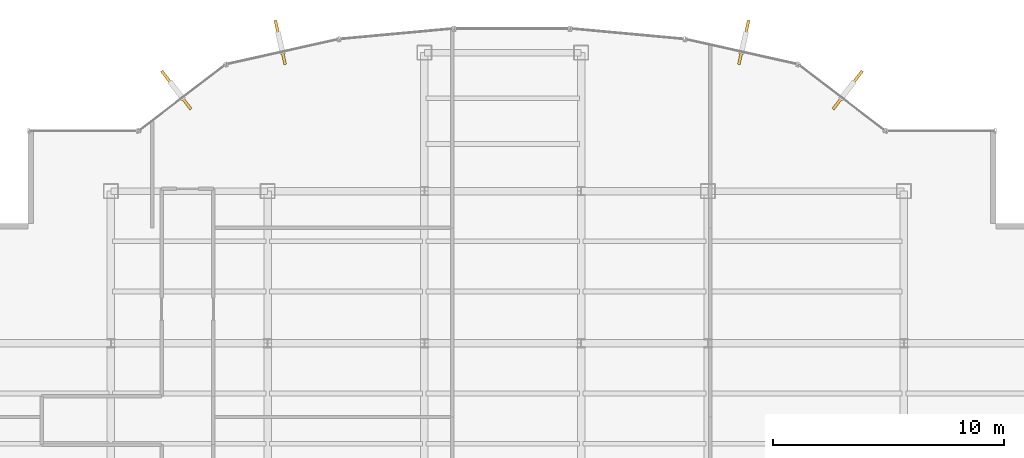
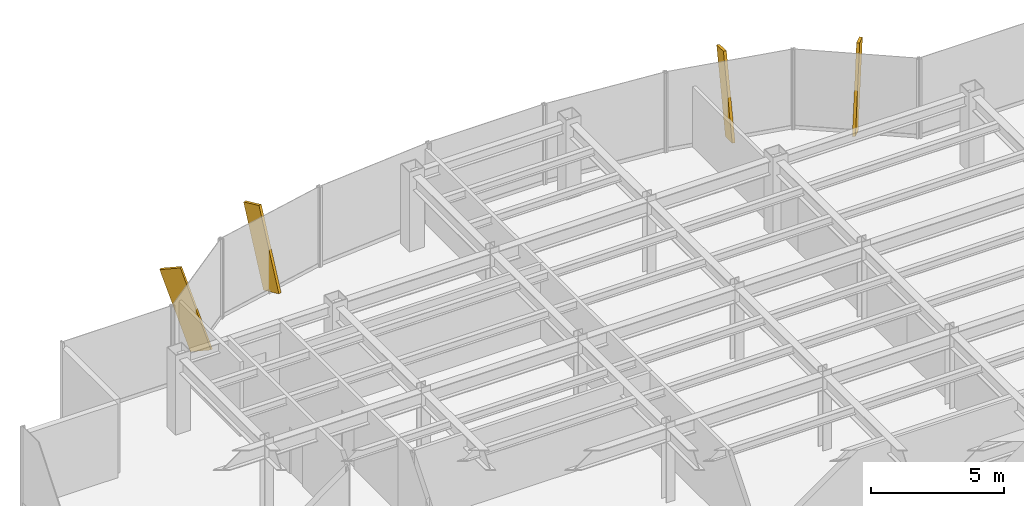
# One storey, part 24 of 25: 4 shading devices.
"""IFC4 building model written with IfcOpenShell, lengths in metres."""

from ifc_helpers import new_model, si_unit, derived_unit, direction, frame, origin, origin_2d, place, context, subcontext, project, spatial, rectangle, extrude, source, transform, mapped, material, type_object, element, save


model = new_model("IFC4")

# Units and contexts
model_context = context("Model", 3, precision=1e-05, world=origin(), true_north=direction((0.0, 1.0)))
body_context = subcontext(model_context, "Body", "Model", "MODEL_VIEW")
ifc_project = project(units=[si_unit("LENGTHUNIT", "METRE"), si_unit("AREAUNIT", "SQUARE_METRE"), si_unit("VOLUMEUNIT", "CUBIC_METRE"), si_unit("PLANEANGLEUNIT", "RADIAN"), si_unit("MASSUNIT", "GRAM", prefix="KILO"), derived_unit("THERMALTRANSMITTANCEUNIT", [(si_unit("POWERUNIT", "WATT"), 1), (si_unit("LENGTHUNIT", "METRE"), -2), (si_unit("THERMODYNAMICTEMPERATUREUNIT", "KELVIN"), -1)])], contexts=[model_context])

# Site, building, storey
site_placement = place(None, origin())
site = spatial("IfcSite", under=ifc_project, at=site_placement, CompositionType="ELEMENT")
building_placement = place(site_placement, origin())
building = spatial("IfcBuilding", under=site, at=building_placement, Name="Skarnbrae Concourse Arena and Tower", CompositionType="ELEMENT")
storey_placement = place(building_placement, frame((0.0, 0.0, 169.800048828125)))
storey = spatial("IfcBuildingStorey", under=building, at=storey_placement, Name="L43", CompositionType="ELEMENT", Elevation=169.800048828125)

# Shading devices
ifc_material = material(Name="Bronze anodised aluminium 6063-T6", Category="aluminium")
shading_device_type = type_object("IfcShadingDeviceType", Name="SHD-BRONZE-FIN-900", PredefinedType="USERDEFINED", material=ifc_material)
shared_shape = source(origin(), body_context, "Body", "SweptSolid", [
    extrude(rectangle(XDim=0.1201171875, YDim=0.89990234375, at=origin_2d()), origin(), (0.0, 0.0, 1.0), 3.64990234375),
])
for number, where, z_axis, x_axis, name in (
    (1, (39.1806640625, 38.283935546875, 0.110107421875), (0.207592334187, 0.27202097743, 0.939632912698), (0.794954941871, -0.606668476513, 0.0), "L43 Outward-leaning bronze shading fin 08"),
    (2, (34.932373046875, 40.311767578125, 0.085205078125), (0.065861638871, 0.294768862168, 0.953296156722), (0.975935794812, -0.218058075762, 0.0), "L43 Outward-leaning bronze shading fin 09"),
    (3, (15.067626953125, 40.311767578125, 0.085205078125), (-0.065861638871, 0.294768862168, 0.953296156722), (0.975935794812, 0.218058075762, 0.0), "L43 Outward-leaning bronze shading fin 13"),
    (4, (10.8193359375, 38.283935546875, 0.110107421875), (-0.207592334187, 0.27202097743, 0.939632912698), (0.794954941871, 0.606668476513, 0.0), "L43 Outward-leaning bronze shading fin 14"),
):
    element("IfcShadingDevice", number, at=place(storey_placement, frame(where, z_axis=z_axis, x_axis=x_axis)), inside=storey, type_object=shading_device_type, Name=name, ObjectType="FIN", PredefinedType="USERDEFINED", context=body_context, shape_type="MappedRepresentation", body=[
        mapped(shared_shape, transform((0.0, 0.0, 0.0))),
    ])

save(model, "model.ifc")
